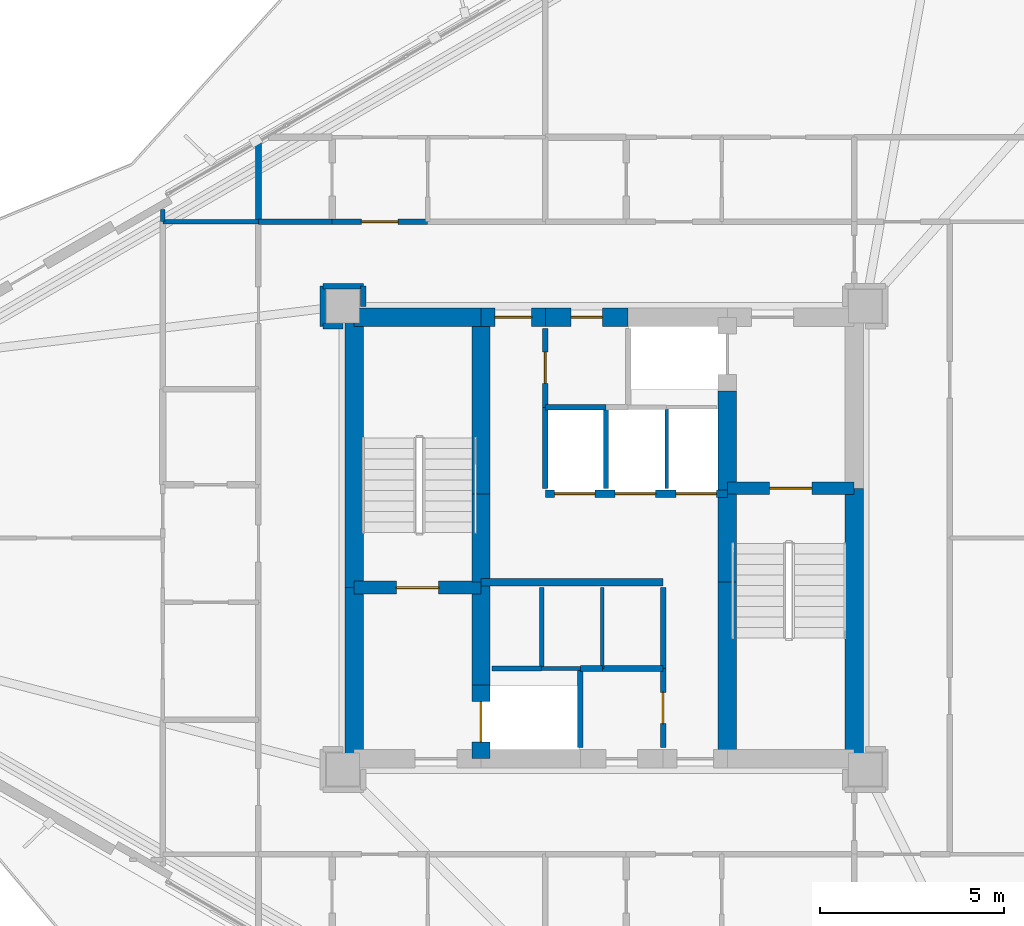
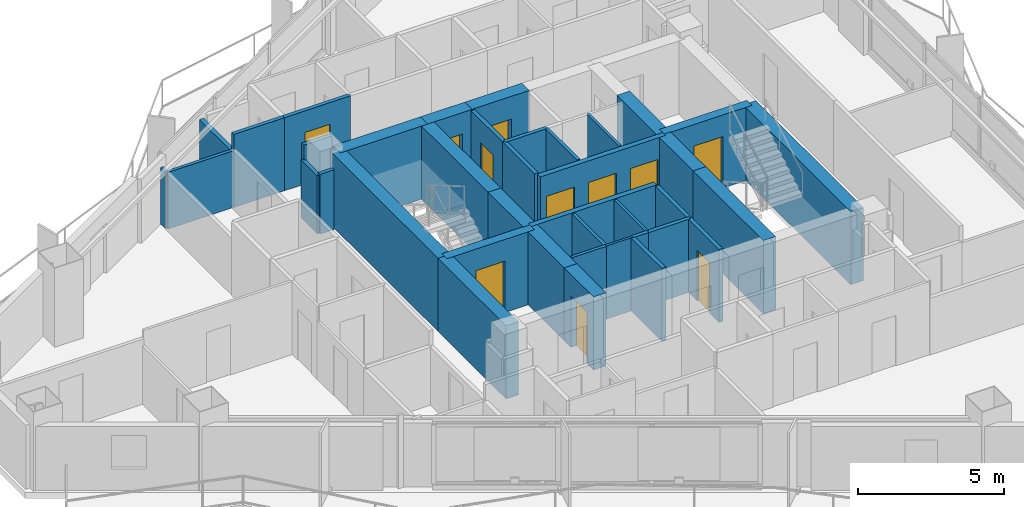
# One storey, part 18 of 23: 40 walls, 11 doors, 11 openings.
"""IFC4 building model written with IfcOpenShell, lengths in metres."""

from ifc_helpers import new_model, si_unit, direction, frame, frame_2d, origin, place, context, subcontext, project, spatial, rectangle, extrude, material, layer, layer_set, type_object, element, fill, save


model = new_model("IFC4")

# Units and contexts
model_context = context("Model", 3, precision=1e-05, world=origin(), true_north=direction((0.0, 1.0)))
body_context = subcontext(model_context, "Body", "Model", "MODEL_VIEW")
ifc_project = project(units=[si_unit("LENGTHUNIT", "METRE"), si_unit("AREAUNIT", "SQUARE_METRE"), si_unit("VOLUMEUNIT", "CUBIC_METRE"), si_unit("PLANEANGLEUNIT", "RADIAN"), si_unit("MASSUNIT", "GRAM", prefix="KILO")], contexts=[model_context])

# Site, building, storey
site_placement = place(None, origin())
site = spatial("IfcSite", under=ifc_project, at=site_placement, CompositionType="ELEMENT")
building_placement = place(site_placement, origin())
building = spatial("IfcBuilding", under=site, at=building_placement, Name="Mersakhor Tower and Convention Hall", CompositionType="ELEMENT")
storey_placement = place(building_placement, frame((0.0, 0.0, 93.300048828125)))
storey = spatial("IfcBuildingStorey", under=building, at=storey_placement, Name="L25", CompositionType="ELEMENT", Elevation=93.300048828125)

# Walls
ifc_material_1 = material(Name="Moisture-resistant acoustic drywall studwork", Category="other")
ifc_layer_1 = layer(ifc_material_1, 0.175048828125)
ifc_layer_set_1 = layer_set([ifc_layer_1], Name="Moisture-resistant acoustic drywall studwork")
wall_type_1 = type_object("IfcWallType", Name="WL-PLM-175", PredefinedType="PLUMBINGWALL", material=ifc_layer_set_1)
wall_1_placement = place(storey_placement, frame((19.60009765625, 35.35009765625, 0.0), z_axis=(0.0, 0.0, 1.0), x_axis=(0.0, 1.0, 0.0)))
element("IfcWall", 1, at=wall_1_placement, inside=storey, type_object=wall_type_1, Name="L25 Interior Partition Wall P-076", PredefinedType="PLUMBINGWALL", context=body_context, shape_type="SweptSolid", body=[
    extrude(rectangle(XDim=2.136962890625, YDim=0.175048828125, at=frame_2d((1.068359375, 0.0))), origin(), (0.0, 0.0, 1.0), 2.364990234375),
])
ifc_material_2 = material(Name="Lightweight gypsum partition", Category="other")
ifc_layer_2 = layer(ifc_material_2, 0.10009765625)
ifc_layer_set_2 = layer_set([ifc_layer_2], Name="Lightweight gypsum partition")
wall_type_2 = type_object("IfcWallType", Name="WL-PRT-100", PredefinedType="PARTITIONING", material=ifc_layer_set_2)
wall_2_placement = place(storey_placement, frame((27.300048828125, 23.199951171875, 0.0), z_axis=(0.0, 0.0, 1.0), x_axis=(1.0, 0.0, 0.0)))
element("IfcWall", 2, at=wall_2_placement, inside=storey, type_object=wall_type_2, Name="L25 Interior Partition Wall P-002", PredefinedType="PARTITIONING", context=body_context, shape_type="SweptSolid", body=[
    extrude(rectangle(XDim=1.050048828125, YDim=0.10009765625, at=frame_2d((0.52490234375, 0.0))), origin(), (0.0, 0.0, 1.0), 3.050048828125),
])
for number, where, z_axis, x_axis, name in (
    (3, (28.949951171875, 25.39990234375, 0.0), (0.0, 0.0, 1.0), (0.0, -1.0, 0.0), "L25 Interior Partition Wall P-008"),
    (4, (30.699951171875, 30.300048828125, 0.0), (0.0, 0.0, 1.0), (0.0, -1.0, 0.0), "L25 Interior Partition Wall P-016"),
):
    element("IfcWall", number, at=place(storey_placement, frame(where, z_axis=z_axis, x_axis=x_axis)), inside=storey, type_object=wall_type_2, Name=name, PredefinedType="PARTITIONING", context=body_context, shape_type="SweptSolid", body=[
        extrude(rectangle(XDim=2.199951171875, YDim=0.10009765625, at=frame_2d((1.10009765625, 0.0))), origin(), (0.0, 0.0, 1.0), 3.050048828125),
    ])
ifc_material_3 = material(Name="Gypsum board acoustic partition", Category="other")
ifc_layer_3 = layer(ifc_material_3, 0.125)
ifc_layer_set_3 = layer_set([ifc_layer_3], Name="Gypsum board acoustic partition")
wall_type_3 = type_object("IfcWallType", Name="WL-PRT-125", PredefinedType="PARTITIONING", material=ifc_layer_set_3)
wall_3_placement = place(storey_placement, frame((25.949951171875, 23.199951171875, 0.0), z_axis=(0.0, 0.0, 1.0), x_axis=(1.0, 0.0, 0.0)))
element("IfcWall", 5, at=wall_3_placement, inside=storey, type_object=wall_type_3, Name="L25 Interior Partition Wall P-001", PredefinedType="PARTITIONING", context=body_context, shape_type="SweptSolid", body=[
    extrude(rectangle(XDim=1.35009765625, YDim=0.125, at=frame_2d((0.675048828125, 0.0))), origin(), (0.0, 0.0, 1.0), 3.050048828125),
])
for number, where, z_axis, x_axis, name in (
    (6, (27.300048828125, 25.39990234375, 0.0), (0.0, 0.0, 1.0), (0.0, -1.0, 0.0), "L25 Interior Partition Wall P-007"),
    (7, (29.050048828125, 30.300048828125, 0.0), (0.0, 0.0, 1.0), (0.0, -1.0, 0.0), "L25 Interior Partition Wall P-013"),
):
    element("IfcWall", number, at=place(storey_placement, frame(where, z_axis=z_axis, x_axis=x_axis)), inside=storey, type_object=wall_type_3, Name=name, PredefinedType="PARTITIONING", context=body_context, shape_type="SweptSolid", body=[
        extrude(rectangle(XDim=2.199951171875, YDim=0.125, at=frame_2d((1.10009765625, 0.0))), origin(), (0.0, 0.0, 1.0), 3.050048828125),
    ])
wall_4_placement = place(storey_placement, frame((17.0, 35.35009765625, 0.0), z_axis=(0.0, 0.0, 1.0), x_axis=(1.0, 0.0, 0.0)))
element("IfcWall", 8, at=wall_4_placement, inside=storey, type_object=wall_type_3, Name="L25 Interior Partition Wall P-099", PredefinedType="PARTITIONING", context=body_context, shape_type="SweptSolid", body=[
    extrude(rectangle(XDim=2.60009765625, YDim=0.125, at=frame_2d((1.300048828125, 0.0))), origin(), (0.0, 0.0, 1.0), 2.364990234375),
])
wall_5_placement = place(storey_placement, frame((17.0, 35.676513671875, 0.0), z_axis=(0.0, 0.0, 1.0), x_axis=(0.0, -1.0, 0.0)))
element("IfcWall", 9, at=wall_5_placement, inside=storey, type_object=wall_type_3, Name="L25 Interior Partition Wall P-107", PredefinedType="PARTITIONING", context=body_context, shape_type="SweptSolid", body=[
    extrude(rectangle(XDim=0.326416015625, YDim=0.125, at=frame_2d((0.1630859375, 0.0))), origin(), (0.0, 0.0, 1.0), 2.364990234375),
])
ifc_material_4 = material(Name="Fire-rated gypsum board stud partition", Category="other")
ifc_layer_4 = layer(ifc_material_4, 0.14990234375)
ifc_layer_set_4 = layer_set([ifc_layer_4], Name="Fire-rated gypsum board stud partition")
wall_type_4 = type_object("IfcWallType", Name="WL-PRT-150", PredefinedType="PARTITIONING", material=ifc_layer_set_4)
wall_6_placement = place(storey_placement, frame((28.35009765625, 23.199951171875, 0.0), z_axis=(0.0, 0.0, 1.0), x_axis=(0.0, -1.0, 0.0)))
element("IfcWall", 10, at=wall_6_placement, inside=storey, type_object=wall_type_4, Name="L25 Interior Partition Wall P-003", PredefinedType="PARTITIONING", context=body_context, shape_type="SweptSolid", body=[
    extrude(rectangle(XDim=2.14990234375, YDim=0.14990234375, at=frame_2d((1.074951171875, 0.0))), origin(), (0.0, 0.0, 1.0), 3.050048828125),
])
wall_7_placement = place(storey_placement, frame((28.949951171875, 23.199951171875, 0.0), z_axis=(0.0, 0.0, 1.0), x_axis=(-1.0, 0.0, 0.0)))
element("IfcWall", 11, at=wall_7_placement, inside=storey, type_object=wall_type_4, Name="L25 Interior Partition Wall P-009", PredefinedType="PARTITIONING", context=body_context, shape_type="SweptSolid", body=[
    extrude(rectangle(XDim=0.599853515625, YDim=0.14990234375, at=frame_2d((0.2998046875, 0.0))), origin(), (0.0, 0.0, 1.0), 3.050048828125),
])
wall_8_placement = place(storey_placement, frame((30.60009765625, 25.39990234375, 0.0), z_axis=(0.0, 0.0, 1.0), x_axis=(0.0, -1.0, 0.0)))
element("IfcWall", 12, at=wall_8_placement, inside=storey, type_object=wall_type_4, Name="L25 Interior Partition Wall P-010", PredefinedType="PARTITIONING", context=body_context, shape_type="SweptSolid", body=[
    extrude(rectangle(XDim=2.199951171875, YDim=0.14990234375, at=frame_2d((1.10009765625, 0.0))), origin(), (0.0, 0.0, 1.0), 3.050048828125),
])
for number, where, z_axis, x_axis, name in (
    (13, (30.60009765625, 23.199951171875, 0.0), (0.0, 0.0, 1.0), (-1.0, 0.0, 0.0), "L25 Interior Partition Wall P-011"),
    (14, (27.39990234375, 30.300048828125, 0.0), (0.0, 0.0, 1.0), (1.0, 0.0, 0.0), "L25 Interior Partition Wall P-012"),
):
    element("IfcWall", number, at=place(storey_placement, frame(where, z_axis=z_axis, x_axis=x_axis)), inside=storey, type_object=wall_type_4, Name=name, PredefinedType="PARTITIONING", context=body_context, shape_type="SweptSolid", body=[
        extrude(rectangle(XDim=1.650146484375, YDim=0.14990234375, at=frame_2d((0.8251953125, 0.0))), origin(), (0.0, 0.0, 1.0), 3.050048828125),
    ])
wall_9_placement = place(storey_placement, frame((27.39990234375, 28.10009765625, 0.0), z_axis=(0.0, 0.0, 1.0), x_axis=(0.0, 1.0, 0.0)))
element("IfcWall", 15, at=wall_9_placement, inside=storey, type_object=wall_type_4, Name="L25 Interior Partition Wall P-014", PredefinedType="PARTITIONING", context=body_context, shape_type="SweptSolid", body=[
    extrude(rectangle(XDim=2.199951171875, YDim=0.14990234375, at=frame_2d((1.10009765625, 0.0))), origin(), (0.0, 0.0, 1.0), 3.050048828125),
])

# Wall, opening, door
wall_10_placement = place(storey_placement, frame((30.60009765625, 21.050048828125, 0.0), z_axis=(0.0, 0.0, 1.0), x_axis=(0.0, 1.0, 0.0)))
wall_10 = element("IfcWall", 16, at=wall_10_placement, inside=storey, type_object=wall_type_4, Name="L25 Interior Partition Wall P-017", PredefinedType="PARTITIONING", context=body_context, shape_type="SweptSolid", body=[
    extrude(rectangle(XDim=2.14990234375, YDim=0.14990234375, at=frame_2d((1.074951171875, 0.0))), origin(), (0.0, 0.0, 1.0), 3.050048828125),
])
opening_1_placement = place(wall_10_placement, frame((0.64990234375, 0.0, 0.0)))
opening_1 = element("IfcOpeningElement", 17, at=opening_1_placement, cuts=wall_10, Name="Opening SVD-01", PredefinedType="OPENING", context=body_context, shape_type="SweptSolid", body=[
    extrude(rectangle(XDim=0.85009765625, YDim=2.10009765625, at=frame_2d((0.425048828125, 1.050048828125))), frame((0.0, 0.0849609375, 0.0), z_axis=(0.0, -1.0, 0.0), x_axis=(1.0, 0.0, 0.0)), (0.0, 0.0, 1.0), 0.169921875),
])
ifc_material_5 = material(Name="Fire-rated hardwood leaf and painted steel frame", Category="steel")
door_type_1 = type_object("IfcDoorType", Name="DR-INT-SVC-085x210", OperationType="NOTDEFINED", PredefinedType="DOOR", material=ifc_material_5)
door_1_placement = place(opening_1_placement, origin())
door_1 = element("IfcDoor", 18, at=door_1_placement, inside=storey, type_object=door_type_1, Name="L25 Central Passenger Lift Lobby to Electrical Switchroom Door", OperationType="SINGLE_SWING_RIGHT", OverallHeight=2.10009765625, OverallWidth=0.85009765625, PredefinedType="DOOR", context=body_context, shape_type="SweptSolid", body=[
    extrude(rectangle(XDim=0.85009765625, YDim=2.10009765625, at=frame_2d((0.425048828125, 1.050048828125))), frame((0.0, 0.02490234375, 0.0), z_axis=(0.0, -1.0, 0.0), x_axis=(1.0, 0.0, 0.0)), (0.0, 0.0, 1.0), 0.050048828125),
])
fill(opening_1, door_1)

wall_11_placement = place(storey_placement, frame((27.39990234375, 32.449951171875, 0.0), z_axis=(0.0, 0.0, 1.0), x_axis=(0.0, -1.0, 0.0)))
wall_11 = element("IfcWall", 19, at=wall_11_placement, inside=storey, type_object=wall_type_4, Name="L25 Interior Partition Wall P-018", PredefinedType="PARTITIONING", context=body_context, shape_type="SweptSolid", body=[
    extrude(rectangle(XDim=2.14990234375, YDim=0.14990234375, at=frame_2d((1.074951171875, 0.0))), origin(), (0.0, 0.0, 1.0), 3.050048828125),
])
opening_2_placement = place(wall_11_placement, frame((0.64990234375, 0.0, 0.0)))
opening_2 = element("IfcOpeningElement", 20, at=opening_2_placement, cuts=wall_11, Name="Opening SVD-01", PredefinedType="OPENING", context=body_context, shape_type="SweptSolid", body=[
    extrude(rectangle(XDim=0.85009765625, YDim=2.10009765625, at=frame_2d((0.425048828125, 1.050048828125))), frame((0.0, 0.0849609375, 0.0), z_axis=(0.0, -1.0, 0.0), x_axis=(1.0, 0.0, 0.0)), (0.0, 0.0, 1.0), 0.169921875),
])
door_2_placement = place(opening_2_placement, origin())
door_2 = element("IfcDoor", 21, at=door_2_placement, inside=storey, type_object=door_type_1, Name="L25 Central Passenger Lift Lobby to Telecoms and BMS Riser Room Door", OperationType="SINGLE_SWING_LEFT", OverallHeight=2.10009765625, OverallWidth=0.85009765625, PredefinedType="DOOR", context=body_context, shape_type="SweptSolid", body=[
    extrude(rectangle(XDim=0.85009765625, YDim=2.10009765625, at=frame_2d((0.425048828125, 1.050048828125))), frame((0.0, 0.02490234375, 0.0), z_axis=(0.0, -1.0, 0.0), x_axis=(1.0, 0.0, 0.0)), (0.0, 0.0, 1.0), 0.050048828125),
])
fill(opening_2, door_2)

# Wall
wall_12_placement = place(storey_placement, frame((19.60009765625, 35.35009765625, 0.0), z_axis=(0.0, 0.0, 1.0), x_axis=(1.0, 0.0, 0.0)))
element("IfcWall", 22, at=wall_12_placement, inside=storey, type_object=wall_type_4, Name="L25 Interior Partition Wall P-035", PredefinedType="PARTITIONING", context=body_context, shape_type="SweptSolid", body=[
    extrude(rectangle(XDim=2.0, YDim=0.14990234375, at=frame_2d((1.0, 0.0))), origin(), (0.0, 0.0, 1.0), 3.050048828125),
])

# Wall, opening, door
wall_13_placement = place(storey_placement, frame((21.60009765625, 35.35009765625, 0.0), z_axis=(0.0, 0.0, 1.0), x_axis=(1.0, 0.0, 0.0)))
wall_13 = element("IfcWall", 23, at=wall_13_placement, inside=storey, type_object=wall_type_4, Name="L25 Interior Partition Wall P-036", PredefinedType="PARTITIONING", context=body_context, shape_type="SweptSolid", body=[
    extrude(rectangle(XDim=2.599853515625, YDim=0.14990234375, at=frame_2d((1.2998046875, 0.0))), origin(), (0.0, 0.0, 1.0), 3.050048828125),
])
opening_3_placement = place(wall_13_placement, frame((0.800048828125, 0.0, 0.0)))
opening_3 = element("IfcOpeningElement", 24, at=opening_3_placement, cuts=wall_13, Name="Opening FD-01", PredefinedType="OPENING", context=body_context, shape_type="SweptSolid", body=[
    extrude(rectangle(XDim=1.0, YDim=2.14990234375, at=frame_2d((0.5, 1.074951171875))), frame((0.0, 0.0849609375, 0.0), z_axis=(0.0, -1.0, 0.0), x_axis=(1.0, 0.0, 0.0)), (0.0, 0.0, 1.0), 0.169921875),
])
ifc_material_6 = material(Name="Fire-rated hardwood leaf and painted steel frame", Category="steel")
door_type_2 = type_object("IfcDoorType", Name="DR-INT-FLT-100x215", OperationType="NOTDEFINED", PredefinedType="DOOR", material=ifc_material_6)
door_3_placement = place(opening_3_placement, origin())
door_3 = element("IfcDoor", 25, at=door_3_placement, inside=storey, type_object=door_type_2, Name="L25 Apartment Entrance Door (Residential Ring Corridor to L25 Flat N1 Apartment Hall)", OperationType="SINGLE_SWING_RIGHT", OverallHeight=2.14990234375, OverallWidth=1.0, PredefinedType="DOOR", context=body_context, shape_type="SweptSolid", body=[
    extrude(rectangle(XDim=1.0, YDim=2.14990234375, at=frame_2d((0.5, 1.074951171875))), frame((0.0, 0.02490234375, 0.0), z_axis=(0.0, -1.0, 0.0), x_axis=(1.0, 0.0, 0.0)), (0.0, 0.0, 1.0), 0.050048828125),
])
fill(opening_3, door_3)

# Walls
wall_14_placement = place(storey_placement, frame((22.449951171875, 33.050048828125, 0.0), z_axis=(0.0, 0.0, 1.0), x_axis=(0.0, 1.0, 0.0)))
element("IfcWall", 26, at=wall_14_placement, inside=storey, type_object=wall_type_4, Name="L25 Interior Partition Wall P-044", PredefinedType="PARTITIONING", context=body_context, shape_type="SweptSolid", body=[
    extrude(rectangle(XDim=0.550048828125, YDim=0.14990234375, at=frame_2d((0.27490234375, 0.0))), origin(), (0.0, 0.0, 1.0), 2.498291015625),
])
wall_15_placement = place(storey_placement, frame((22.449951171875, 33.60009765625, 0.0), z_axis=(0.0, 0.0, 1.0), x_axis=(-1.0, 0.0, 0.0)))
element("IfcWall", 27, at=wall_15_placement, inside=storey, type_object=wall_type_4, Name="L25 Interior Partition Wall P-045", PredefinedType="PARTITIONING", context=body_context, shape_type="SweptSolid", body=[
    extrude(rectangle(XDim=1.099853515625, YDim=0.14990234375, at=frame_2d((0.5498046875, 0.0))), origin(), (0.0, 0.0, 1.0), 3.050048828125),
])
wall_16_placement = place(storey_placement, frame((21.35009765625, 33.60009765625, 0.0), z_axis=(0.0, 0.0, 1.0), x_axis=(0.0, -1.0, 0.0)))
element("IfcWall", 28, at=wall_16_placement, inside=storey, type_object=wall_type_4, Name="L25 Interior Partition Wall P-046", PredefinedType="PARTITIONING", context=body_context, shape_type="SweptSolid", body=[
    extrude(rectangle(XDim=1.10009765625, YDim=0.14990234375, at=frame_2d((0.550048828125, 0.0))), origin(), (0.0, 0.0, 1.0), 2.4228515625),
])
wall_17_placement = place(storey_placement, frame((21.35009765625, 32.5, 0.0), z_axis=(0.0, 0.0, 1.0), x_axis=(1.0, 0.0, 0.0)))
element("IfcWall", 29, at=wall_17_placement, inside=storey, type_object=wall_type_4, Name="L25 Interior Partition Wall P-047", PredefinedType="PARTITIONING", context=body_context, shape_type="SweptSolid", body=[
    extrude(rectangle(XDim=0.5498046875, YDim=0.14990234375, at=frame_2d((0.27490234375, 0.0))), origin(), (0.0, 0.0, 1.0), 2.498291015625),
])
ifc_material_7 = material(Name="Acoustic concrete blockwork and gypsum board", Category="masonry")
ifc_layer_5 = layer(ifc_material_7, 0.199951171875)
ifc_layer_set_5 = layer_set([ifc_layer_5], Name="Acoustic concrete blockwork and gypsum board")
wall_type_5 = type_object("IfcWallType", Name="WL-PRT-200", PredefinedType="PARTITIONING", material=ifc_layer_set_5)
wall_18_placement = place(storey_placement, frame((25.64990234375, 25.550048828125, 0.0), z_axis=(0.0, 0.0, 1.0), x_axis=(1.0, 0.0, 0.0)))
element("IfcWall", 30, at=wall_18_placement, inside=storey, type_object=wall_type_5, Name="L25 High-Rise Lift Bank Front Wall", PredefinedType="PARTITIONING", context=body_context, shape_type="SweptSolid", body=[
    extrude(rectangle(XDim=4.9501953125, YDim=0.199951171875, at=frame_2d((2.47509765625, 0.0))), origin(), (0.0, 0.0, 1.0), 3.050048828125),
])

# Wall, openings, doors
wall_19_placement = place(storey_placement, frame((27.39990234375, 27.949951171875, 0.0), z_axis=(0.0, 0.0, 1.0), x_axis=(1.0, 0.0, 0.0)))
wall_19 = element("IfcWall", 31, at=wall_19_placement, inside=storey, type_object=wall_type_5, Name="L25 Low-Rise Lift Bank Front Wall", PredefinedType="PARTITIONING", context=body_context, shape_type="SweptSolid", body=[
    extrude(rectangle(XDim=4.9501953125, YDim=0.199951171875, at=frame_2d((2.47509765625, 0.0))), origin(), (0.0, 0.0, 1.0), 3.050048828125),
])
opening_4_placement = place(wall_19_placement, frame((0.25, 0.0, 0.0)))
opening_4 = element("IfcOpeningElement", 32, at=opening_4_placement, cuts=wall_19, Name="Opening LD-P1", PredefinedType="OPENING", context=body_context, shape_type="SweptSolid", body=[
    extrude(rectangle(XDim=1.10009765625, YDim=2.14990234375, at=frame_2d((0.550048828125, 1.074951171875))), frame((0.0, 0.10986328125, 0.0), z_axis=(0.0, -1.0, 0.0), x_axis=(1.0, 0.0, 0.0)), (0.0, 0.0, 1.0), 0.219970703125),
])
opening_5_placement = place(wall_19_placement, frame((1.89990234375, 0.0, 0.0)))
opening_5 = element("IfcOpeningElement", 33, at=opening_5_placement, cuts=wall_19, Name="Opening LD-P2", PredefinedType="OPENING", context=body_context, shape_type="SweptSolid", body=[
    extrude(rectangle(XDim=1.10009765625, YDim=2.14990234375, at=frame_2d((0.550048828125, 1.074951171875))), frame((0.0, 0.10986328125, 0.0), z_axis=(0.0, -1.0, 0.0), x_axis=(1.0, 0.0, 0.0)), (0.0, 0.0, 1.0), 0.219970703125),
])
opening_6_placement = place(wall_19_placement, frame((3.550048828125, 0.0, 0.0)))
opening_6 = element("IfcOpeningElement", 34, at=opening_6_placement, cuts=wall_19, Name="Opening LD-P3", PredefinedType="OPENING", context=body_context, shape_type="SweptSolid", body=[
    extrude(rectangle(XDim=1.10009765625, YDim=2.14990234375, at=frame_2d((0.550048828125, 1.074951171875))), frame((0.0, 0.10986328125, 0.0), z_axis=(0.0, -1.0, 0.0), x_axis=(1.0, 0.0, 0.0)), (0.0, 0.0, 1.0), 0.219970703125),
])
ifc_material_8 = material(Name="Fire-rated brushed stainless steel sliding landing door", Category="steel")
door_type_3 = type_object("IfcDoorType", Name="DR-LIFT-SLD-110x215", OperationType="NOTDEFINED", PredefinedType="DOOR", material=ifc_material_8)
door_4_placement = place(opening_4_placement, origin())
door_4 = element("IfcDoor", 35, at=door_4_placement, inside=storey, type_object=door_type_3, Name="L25 Lift Landing Door LD-P1", OperationType="SLIDING_TO_LEFT", OverallHeight=2.14990234375, OverallWidth=1.10009765625, PredefinedType="DOOR", context=body_context, shape_type="SweptSolid", body=[
    extrude(rectangle(XDim=1.10009765625, YDim=2.14990234375, at=frame_2d((0.550048828125, 1.074951171875))), frame((0.0, 0.02490234375, 0.0), z_axis=(0.0, -1.0, 0.0), x_axis=(1.0, 0.0, 0.0)), (0.0, 0.0, 1.0), 0.050048828125),
])
fill(opening_4, door_4)
door_5_placement = place(opening_5_placement, origin())
door_5 = element("IfcDoor", 36, at=door_5_placement, inside=storey, type_object=door_type_3, Name="L25 Lift Landing Door LD-P2", OperationType="SLIDING_TO_LEFT", OverallHeight=2.14990234375, OverallWidth=1.10009765625, PredefinedType="DOOR", context=body_context, shape_type="SweptSolid", body=[
    extrude(rectangle(XDim=1.10009765625, YDim=2.14990234375, at=frame_2d((0.550048828125, 1.074951171875))), frame((0.0, 0.02490234375, 0.0), z_axis=(0.0, -1.0, 0.0), x_axis=(1.0, 0.0, 0.0)), (0.0, 0.0, 1.0), 0.050048828125),
])
fill(opening_5, door_5)
door_6_placement = place(opening_6_placement, origin())
door_6 = element("IfcDoor", 37, at=door_6_placement, inside=storey, type_object=door_type_3, Name="L25 Lift Landing Door LD-P3", OperationType="SLIDING_TO_LEFT", OverallHeight=2.14990234375, OverallWidth=1.10009765625, PredefinedType="DOOR", context=body_context, shape_type="SweptSolid", body=[
    extrude(rectangle(XDim=1.10009765625, YDim=2.14990234375, at=frame_2d((0.550048828125, 1.074951171875))), frame((0.0, 0.02490234375, 0.0), z_axis=(0.0, -1.0, 0.0), x_axis=(1.0, 0.0, 0.0)), (0.0, 0.0, 1.0), 0.050048828125),
])
fill(opening_6, door_6)

# Wall, opening, door
ifc_material_9 = material(Name="Concrete C50/60", Category="concrete")
ifc_layer_6 = layer(ifc_material_9, 0.35009765625)
ifc_layer_set_6 = layer_set([ifc_layer_6], Name="Concrete C50/60")
wall_type_6 = type_object("IfcWallType", Name="WL-SHR-350", PredefinedType="SHEAR", material=ifc_layer_set_6)
wall_20_placement = place(storey_placement, frame((22.199951171875, 25.39990234375, 0.0), z_axis=(0.0, 0.0, 1.0), x_axis=(1.0, 0.0, 0.0)))
wall_20 = element("IfcWall", 38, at=wall_20_placement, inside=storey, type_object=wall_type_6, Name="L25 Core Wall CS-ST1-S", PredefinedType="SHEAR", context=body_context, shape_type="SweptSolid", body=[
    extrude(rectangle(XDim=3.449951171875, YDim=0.35009765625, at=frame_2d((1.72509765625, 0.0))), origin(), (0.0, 0.0, 1.0), 3.050048828125),
])
opening_7_placement = place(wall_20_placement, frame((1.14990234375, 0.0, 0.0)))
opening_7 = element("IfcOpeningElement", 39, at=opening_7_placement, cuts=wall_20, Name="Opening SD-01", PredefinedType="OPENING", context=body_context, shape_type="SweptSolid", body=[
    extrude(rectangle(XDim=1.14990234375, YDim=2.14990234375, at=frame_2d((0.574951171875, 1.074951171875))), frame((0.0, 0.18505859375, 0.0), z_axis=(0.0, -1.0, 0.0), x_axis=(1.0, 0.0, 0.0)), (0.0, 0.0, 1.0), 0.3701171875),
])
ifc_material_10 = material(Name="Fire-rated hardwood leaf and painted steel frame", Category="steel")
door_type_4 = type_object("IfcDoorType", Name="DR-INT-STAIR-115x215", OperationType="NOTDEFINED", PredefinedType="DOOR", material=ifc_material_10)
door_7_placement = place(opening_7_placement, origin())
door_7 = element("IfcDoor", 40, at=door_7_placement, inside=storey, type_object=door_type_4, Name="L25 Exit Stair ST-1 Enclosure Door", OperationType="SINGLE_SWING_LEFT", OverallHeight=2.14990234375, OverallWidth=1.14990234375, PredefinedType="DOOR", context=body_context, shape_type="SweptSolid", body=[
    extrude(rectangle(XDim=1.14990234375, YDim=2.14990234375, at=frame_2d((0.574951171875, 1.074951171875))), frame((0.0, 0.02490234375, 0.0), z_axis=(0.0, -1.0, 0.0), x_axis=(1.0, 0.0, 0.0)), (0.0, 0.0, 1.0), 0.050048828125),
])
fill(opening_7, door_7)

wall_21_placement = place(storey_placement, frame((32.35009765625, 28.10009765625, 0.0), z_axis=(0.0, 0.0, 1.0), x_axis=(1.0, 0.0, 0.0)))
wall_21 = element("IfcWall", 41, at=wall_21_placement, inside=storey, type_object=wall_type_6, Name="L25 Core Wall CS-ST2-N", PredefinedType="SHEAR", context=body_context, shape_type="SweptSolid", body=[
    extrude(rectangle(XDim=3.449951171875, YDim=0.35009765625, at=frame_2d((1.72509765625, 0.0))), origin(), (0.0, 0.0, 1.0), 3.050048828125),
])
opening_8_placement = place(wall_21_placement, frame((1.14990234375, 0.0, 0.0)))
opening_8 = element("IfcOpeningElement", 42, at=opening_8_placement, cuts=wall_21, Name="Opening SD-01", PredefinedType="OPENING", context=body_context, shape_type="SweptSolid", body=[
    extrude(rectangle(XDim=1.14990234375, YDim=2.14990234375, at=frame_2d((0.574951171875, 1.074951171875))), frame((0.0, 0.18505859375, 0.0), z_axis=(0.0, -1.0, 0.0), x_axis=(1.0, 0.0, 0.0)), (0.0, 0.0, 1.0), 0.3701171875),
])
door_8_placement = place(opening_8_placement, origin())
door_8 = element("IfcDoor", 43, at=door_8_placement, inside=storey, type_object=door_type_4, Name="L25 Exit Stair ST-2 Enclosure Door", OperationType="SINGLE_SWING_RIGHT", OverallHeight=2.14990234375, OverallWidth=1.14990234375, PredefinedType="DOOR", context=body_context, shape_type="SweptSolid", body=[
    extrude(rectangle(XDim=1.14990234375, YDim=2.14990234375, at=frame_2d((0.574951171875, 1.074951171875))), frame((0.0, 0.02490234375, 0.0), z_axis=(0.0, -1.0, 0.0), x_axis=(1.0, 0.0, 0.0)), (0.0, 0.0, 1.0), 0.050048828125),
])
fill(opening_8, door_8)

# Walls
ifc_material_11 = material(Name="Concrete C70/85", Category="concrete")
ifc_layer_7 = layer(ifc_material_11, 0.5)
ifc_layer_set_7 = layer_set([ifc_layer_7], Name="Concrete C70/85")
wall_type_7 = type_object("IfcWallType", Name="WL-SHR-500", PredefinedType="SHEAR", material=ifc_layer_set_7)
wall_22_placement = place(storey_placement, frame((22.199951171875, 20.75, 0.0), z_axis=(0.0, 0.0, 1.0), x_axis=(0.0, 1.0, 0.0)))
element("IfcWall", 44, at=wall_22_placement, inside=storey, type_object=wall_type_7, Name="L25 Core Wall CW-W1", PredefinedType="SHEAR", context=body_context, shape_type="SweptSolid", body=[
    extrude(rectangle(XDim=4.64990234375, YDim=0.5, at=frame_2d((2.324951171875, 0.0))), origin(), (0.0, 0.0, 1.0), 3.050048828125),
])
wall_23_placement = place(storey_placement, frame((22.199951171875, 25.39990234375, 0.0), z_axis=(0.0, 0.0, 1.0), x_axis=(0.0, 1.0, 0.0)))
element("IfcWall", 45, at=wall_23_placement, inside=storey, type_object=wall_type_7, Name="L25 Core Wall CW-W2", PredefinedType="SHEAR", context=body_context, shape_type="SweptSolid", body=[
    extrude(rectangle(XDim=7.35009765625, YDim=0.5, at=frame_2d((3.675048828125, 0.0))), origin(), (0.0, 0.0, 1.0), 3.050048828125),
])
wall_24_placement = place(storey_placement, frame((22.199951171875, 32.75, 0.0), z_axis=(0.0, 0.0, 1.0), x_axis=(1.0, 0.0, 0.0)))
element("IfcWall", 46, at=wall_24_placement, inside=storey, type_object=wall_type_7, Name="L25 Core Wall CW-N1", PredefinedType="SHEAR", context=body_context, shape_type="SweptSolid", body=[
    extrude(rectangle(XDim=3.449951171875, YDim=0.5, at=frame_2d((1.72509765625, 0.0))), origin(), (0.0, 0.0, 1.0), 3.050048828125),
])

# Wall, opening, door
wall_25_placement = place(storey_placement, frame((25.64990234375, 32.75, 0.0), z_axis=(0.0, 0.0, 1.0), x_axis=(1.0, 0.0, 0.0)))
wall_25 = element("IfcWall", 47, at=wall_25_placement, inside=storey, type_object=wall_type_7, Name="L25 Core Wall CW-N2A", PredefinedType="SHEAR", context=body_context, shape_type="SweptSolid", body=[
    extrude(rectangle(XDim=1.75, YDim=0.5, at=frame_2d((0.875, 0.0))), origin(), (0.0, 0.0, 1.0), 3.050048828125),
])
opening_9_placement = place(wall_25_placement, frame((0.375, 0.0, 0.0)))
opening_9 = element("IfcOpeningElement", 48, at=opening_9_placement, cuts=wall_25, Name="Opening CFD-01", PredefinedType="OPENING", context=body_context, shape_type="SweptSolid", body=[
    extrude(rectangle(XDim=1.0, YDim=2.14990234375, at=frame_2d((0.5, 1.074951171875))), frame((0.0, 0.260009765625, 0.0), z_axis=(0.0, -1.0, 0.0), x_axis=(1.0, 0.0, 0.0)), (0.0, 0.0, 1.0), 0.52001953125),
])
ifc_material_12 = material(Name="Fire-rated hardwood leaf and painted steel frame", Category="steel")
door_type_5 = type_object("IfcDoorType", Name="DR-CORE-FD-100x215", OperationType="NOTDEFINED", PredefinedType="DOOR", material=ifc_material_12)
door_9_placement = place(opening_9_placement, origin())
door_9 = element("IfcDoor", 49, at=door_9_placement, inside=storey, type_object=door_type_5, Name="L25 Lift Lobby North Corridor Door", OperationType="SINGLE_SWING_LEFT", OverallHeight=2.14990234375, OverallWidth=1.0, PredefinedType="DOOR", context=body_context, shape_type="SweptSolid", body=[
    extrude(rectangle(XDim=1.0, YDim=2.14990234375, at=frame_2d((0.5, 1.074951171875))), frame((0.0, 0.02490234375, 0.0), z_axis=(0.0, -1.0, 0.0), x_axis=(1.0, 0.0, 0.0)), (0.0, 0.0, 1.0), 0.050048828125),
])
fill(opening_9, door_9)

wall_26_placement = place(storey_placement, frame((27.39990234375, 32.75, 0.0), z_axis=(0.0, 0.0, 1.0), x_axis=(1.0, 0.0, 0.0)))
wall_26 = element("IfcWall", 50, at=wall_26_placement, inside=storey, type_object=wall_type_7, Name="L25 Core Wall CW-N2B", PredefinedType="SHEAR", context=body_context, shape_type="SweptSolid", body=[
    extrude(rectangle(XDim=2.25, YDim=0.5, at=frame_2d((1.125, 0.0))), origin(), (0.0, 0.0, 1.0), 3.050048828125),
])
opening_10_placement = place(wall_26_placement, frame((0.699951171875, 0.0, 0.0)))
opening_10 = element("IfcOpeningElement", 51, at=opening_10_placement, cuts=wall_26, Name="Opening SVD-01", PredefinedType="OPENING", context=body_context, shape_type="SweptSolid", body=[
    extrude(rectangle(XDim=0.85009765625, YDim=2.10009765625, at=frame_2d((0.425048828125, 1.050048828125))), frame((0.0, 0.260009765625, 0.0), z_axis=(0.0, -1.0, 0.0), x_axis=(1.0, 0.0, 0.0)), (0.0, 0.0, 1.0), 0.52001953125),
])
door_10_placement = place(opening_10_placement, origin())
door_10 = element("IfcDoor", 52, at=door_10_placement, inside=storey, type_object=door_type_1, Name="L25 Residential Ring Corridor to Telecoms and BMS Riser Room Door", OperationType="SINGLE_SWING_RIGHT", OverallHeight=2.10009765625, OverallWidth=0.85009765625, PredefinedType="DOOR", context=body_context, shape_type="SweptSolid", body=[
    extrude(rectangle(XDim=0.85009765625, YDim=2.10009765625, at=frame_2d((0.425048828125, 1.050048828125))), frame((0.0, 0.02490234375, 0.0), z_axis=(0.0, -1.0, 0.0), x_axis=(1.0, 0.0, 0.0)), (0.0, 0.0, 1.0), 0.050048828125),
])
fill(opening_10, door_10)

# Wall
wall_27_placement = place(storey_placement, frame((35.800048828125, 28.10009765625, 0.0), z_axis=(0.0, 0.0, 1.0), x_axis=(0.0, -1.0, 0.0)))
element("IfcWall", 53, at=wall_27_placement, inside=storey, type_object=wall_type_7, Name="L25 Core Wall CW-E2", PredefinedType="SHEAR", context=body_context, shape_type="SweptSolid", body=[
    extrude(rectangle(XDim=7.35009765625, YDim=0.5, at=frame_2d((3.675048828125, 0.0))), origin(), (0.0, 0.0, 1.0), 3.050048828125),
])

# Wall, opening, door
wall_28_placement = place(storey_placement, frame((25.64990234375, 20.75, 0.0), z_axis=(0.0, 0.0, 1.0), x_axis=(0.0, 1.0, 0.0)))
wall_28 = element("IfcWall", 54, at=wall_28_placement, inside=storey, type_object=wall_type_7, Name="L25 Core Wall CS-W-FFL", PredefinedType="SHEAR", context=body_context, shape_type="SweptSolid", body=[
    extrude(rectangle(XDim=2.0, YDim=0.5, at=frame_2d((1.0, 0.0))), origin(), (0.0, 0.0, 1.0), 3.050048828125),
])
opening_11_placement = place(wall_28_placement, frame((0.449951171875, 0.0, 0.0)))
opening_11 = element("IfcOpeningElement", 55, at=opening_11_placement, cuts=wall_28, Name="Opening LD-FFL1", PredefinedType="OPENING", context=body_context, shape_type="SweptSolid", body=[
    extrude(rectangle(XDim=1.10009765625, YDim=2.14990234375, at=frame_2d((0.550048828125, 1.074951171875))), frame((0.0, 0.260009765625, 0.0), z_axis=(0.0, -1.0, 0.0), x_axis=(1.0, 0.0, 0.0)), (0.0, 0.0, 1.0), 0.52001953125),
])
door_11_placement = place(opening_11_placement, origin())
door_11 = element("IfcDoor", 56, at=door_11_placement, inside=storey, type_object=door_type_3, Name="L25 Firefighting Lift Landing Door LD-FFL1", OperationType="SLIDING_TO_LEFT", OverallHeight=2.14990234375, OverallWidth=1.10009765625, PredefinedType="DOOR", context=body_context, shape_type="SweptSolid", body=[
    extrude(rectangle(XDim=1.10009765625, YDim=2.14990234375, at=frame_2d((0.550048828125, 1.074951171875))), frame((0.0, 0.02490234375, 0.0), z_axis=(0.0, -1.0, 0.0), x_axis=(1.0, 0.0, 0.0)), (0.0, 0.0, 1.0), 0.050048828125),
])
fill(opening_11, door_11)

# Walls
wall_29_placement = place(storey_placement, frame((25.64990234375, 22.75, 0.0), z_axis=(0.0, 0.0, 1.0), x_axis=(0.0, 1.0, 0.0)))
element("IfcWall", 57, at=wall_29_placement, inside=storey, type_object=wall_type_7, Name="L25 Core Wall CS-W-MID", PredefinedType="SHEAR", context=body_context, shape_type="SweptSolid", body=[
    extrude(rectangle(XDim=2.800048828125, YDim=0.5, at=frame_2d((1.39990234375, 0.0))), origin(), (0.0, 0.0, 1.0), 3.050048828125),
])
wall_30_placement = place(storey_placement, frame((25.64990234375, 25.550048828125, 0.0), z_axis=(0.0, 0.0, 1.0), x_axis=(0.0, 1.0, 0.0)))
element("IfcWall", 58, at=wall_30_placement, inside=storey, type_object=wall_type_7, Name="L25 Core Wall CS-W-LOB", PredefinedType="SHEAR", context=body_context, shape_type="SweptSolid", body=[
    extrude(rectangle(XDim=2.39990234375, YDim=0.5, at=frame_2d((1.199951171875, 0.0))), origin(), (0.0, 0.0, 1.0), 3.050048828125),
])
for number, where, z_axis, x_axis, name in (
    (59, (25.64990234375, 27.949951171875, 0.0), (0.0, 0.0, 1.0), (0.0, 1.0, 0.0), "L25 Core Wall CS-W-ST1"),
    (60, (32.35009765625, 20.75, 0.0), (0.0, 0.0, 1.0), (0.0, 1.0, 0.0), "L25 Core Wall CS-E-ST2"),
):
    element("IfcWall", number, at=place(storey_placement, frame(where, z_axis=z_axis, x_axis=x_axis)), inside=storey, type_object=wall_type_7, Name=name, PredefinedType="SHEAR", context=body_context, shape_type="SweptSolid", body=[
        extrude(rectangle(XDim=4.800048828125, YDim=0.5, at=frame_2d((2.39990234375, 0.0))), origin(), (0.0, 0.0, 1.0), 3.050048828125),
    ])
wall_31_placement = place(storey_placement, frame((32.35009765625, 25.550048828125, 0.0), z_axis=(0.0, 0.0, 1.0), x_axis=(0.0, 1.0, 0.0)))
element("IfcWall", 61, at=wall_31_placement, inside=storey, type_object=wall_type_7, Name="L25 Core Wall CS-E-LOB", PredefinedType="SHEAR", context=body_context, shape_type="SweptSolid", body=[
    extrude(rectangle(XDim=2.39990234375, YDim=0.5, at=frame_2d((1.199951171875, 0.0))), origin(), (0.0, 0.0, 1.0), 3.050048828125),
])
wall_32_placement = place(storey_placement, frame((32.35009765625, 27.949951171875, 0.0), z_axis=(0.0, 0.0, 1.0), x_axis=(0.0, 1.0, 0.0)))
element("IfcWall", 62, at=wall_32_placement, inside=storey, type_object=wall_type_7, Name="L25 Core Wall CS-E-MID", PredefinedType="SHEAR", context=body_context, shape_type="SweptSolid", body=[
    extrude(rectangle(XDim=2.800048828125, YDim=0.5, at=frame_2d((1.39990234375, 0.0))), origin(), (0.0, 0.0, 1.0), 3.050048828125),
])

save(model, "model.ifc")
